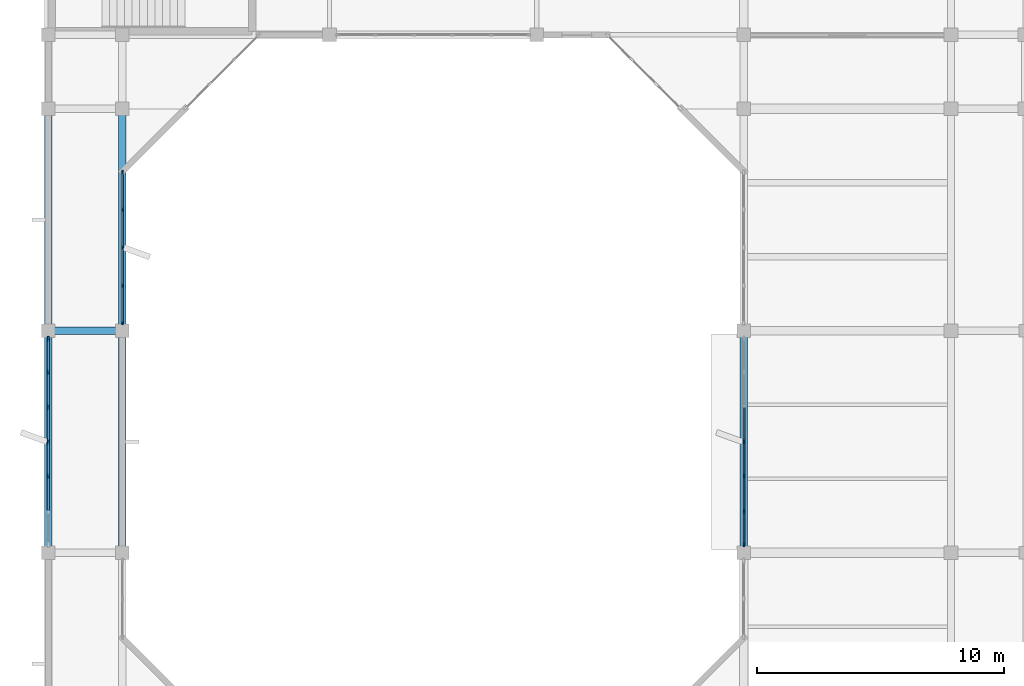
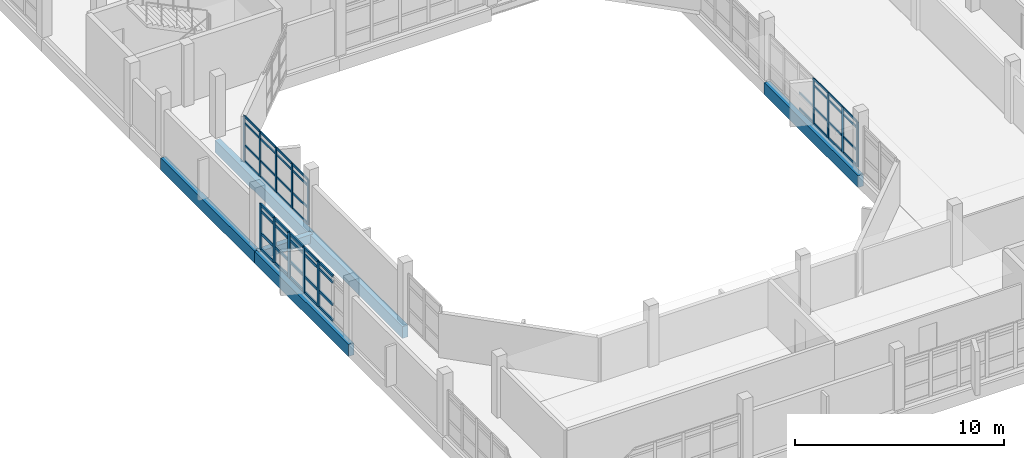
# One storey, part 7 of 51: 64 members, 6 beams, 3 elements without a shape of their own.
"""IFC4 building model written with IfcOpenShell, lengths in metres."""

from ifc_helpers import new_model, si_unit, direction, frame, origin, origin_2d, place, context, subcontext, project, spatial, rectangle, extrude, material, material_profile, profile_set, type_object, element, aggregate, save


model = new_model("IFC4")

# Units and contexts
model_context = context("Model", 3, precision=1e-05, world=origin(), true_north=direction((0.0, 1.0)))
body_context = subcontext(model_context, "Body", "Model", "MODEL_VIEW")
ifc_project = project(units=[si_unit("LENGTHUNIT", "METRE"), si_unit("AREAUNIT", "SQUARE_METRE"), si_unit("VOLUMEUNIT", "CUBIC_METRE"), si_unit("PLANEANGLEUNIT", "RADIAN"), si_unit("MASSUNIT", "GRAM", prefix="KILO")], contexts=[model_context])

# Site, building, storey
site_placement = place(None, origin())
site = spatial("IfcSite", under=ifc_project, at=site_placement, CompositionType="ELEMENT")
building_placement = place(site_placement, origin())
building = spatial("IfcBuilding", under=site, at=building_placement, Name="Vanh Quang Courtyard School", CompositionType="ELEMENT")
storey_placement = place(building_placement, frame((0.0, 0.0, 11.39990234375)))
storey = spatial("IfcBuildingStorey", under=building, at=storey_placement, Name="L03", CompositionType="ELEMENT", Elevation=11.39990234375)

# Beams
ifc_material_1 = material(Name="Concrete C35/45", Category="concrete")
ifc_material_profile_1 = material_profile(ifc_material_1, rectangle(XDim=0.300048828125, YDim=0.5, at=origin_2d()), Name="RC-BM 300x500")
ifc_profile_set_1 = profile_set([ifc_material_profile_1], Name="Concrete C35/45")
beam_type_1 = type_object("IfcBeamType", Name="BM-RC-300x500", PredefinedType="BEAM", material=ifc_profile_set_1)
beam_placement = place(storey_placement, frame((37.800048828125, 59.39990234375, -0.5498046875), z_axis=(1.0, 0.0, 0.0), x_axis=(0.0, 1.0, 0.0)))
element("IfcBeam", 1, at=beam_placement, inside=storey, type_object=beam_type_1, Name="Beam B-08 (L03)", PredefinedType="BEAM", context=body_context, shape_type="SweptSolid", body=[
    extrude(rectangle(XDim=0.300048828125, YDim=0.5, at=origin_2d()), origin(), (0.0, 0.0, 1.0), 3.0),
])
ifc_material_profile_2 = material_profile(ifc_material_1, rectangle(XDim=0.300048828125, YDim=0.699951171875, at=origin_2d()), Name="RC-SP 300x700")
ifc_profile_set_2 = profile_set([ifc_material_profile_2], Name="Concrete C35/45")
beam_type_2 = type_object("IfcBeamType", Name="BM-SP-300x700", PredefinedType="SPANDREL", material=ifc_profile_set_2)
for number, where, z_axis, x_axis, name in (
    (2, (37.800048828125, 50.39990234375, -0.64990234375), (0.0, 1.0, 0.0), (-1.0, 0.0, 0.0), "Beam BS-01 (L03)"),
    (3, (37.800048828125, 59.39990234375, -0.64990234375), (0.0, 1.0, 0.0), (-1.0, 0.0, 0.0), "Beam BS-01 (L03)"),
    (4, (40.800048828125, 50.39990234375, -0.64990234375), (0.0, 1.0, 0.0), (-1.0, 0.0, 0.0), "Beam BS-01 (L03)"),
    (5, (40.800048828125, 59.39990234375, -0.64990234375), (0.0, 1.0, 0.0), (-1.0, 0.0, 0.0), "Beam BS-01 (L03)"),
    (6, (66.0, 50.39990234375, -0.64990234375), (0.0, 1.0, 0.0), (-1.0, 0.0, 0.0), "Beam BS-01 (L03)"),
):
    element("IfcBeam", number, at=place(storey_placement, frame(where, z_axis=z_axis, x_axis=x_axis)), inside=storey, type_object=beam_type_2, Name=name, PredefinedType="SPANDREL", context=body_context, shape_type="SweptSolid", body=[
        extrude(rectangle(XDim=0.300048828125, YDim=0.699951171875, at=origin_2d()), origin(), (0.0, 0.0, 1.0), 9.0),
    ])

# Curtain wall, members
ifc_material_2 = material(Name="Thermally broken aluminium unitised curtain wall", Category="aluminium")
curtain_wall_type_1 = type_object("IfcCurtainWallType", Name="CW-SYS-44", PredefinedType="NOTDEFINED", material=ifc_material_2)
curtain_wall_1_placement = place(storey_placement, origin())
curtain_wall_1 = element("IfcCurtainWall", 7, at=curtain_wall_1_placement, inside=storey, type_object=curtain_wall_type_1, Name="Curtain Wall CW-44 (L03)", PredefinedType="NOTDEFINED")
ifc_material_3 = material(Name="Anodised aluminium 6063-T6", Category="aluminium")
ifc_material_profile_3 = material_profile(ifc_material_3, rectangle(XDim=0.06005859375, YDim=0.159912109375, at=origin_2d()), Name="ALU-MUL 60x160")
ifc_profile_set_3 = profile_set([ifc_material_profile_3], Name="Anodised aluminium 6063-T6")
member_type_1 = type_object("IfcMemberType", Name="CW-MUL-60x160", PredefinedType="MULLION", material=ifc_profile_set_3)
member_1_placement = place(storey_placement, frame((40.800048828125, 65.825927734375, 0.0), z_axis=(0.0, 0.0, 1.0), x_axis=(1.0, 0.0, 0.0)))
member_1 = element("IfcMember", 8, at=member_1_placement, type_object=member_type_1, Name="CW-44 mullion 1", PredefinedType="MULLION", context=body_context, shape_type="SweptSolid", body=[
    extrude(rectangle(XDim=0.06005859375, YDim=0.159912109375, at=origin_2d()), origin(), (0.0, 0.0, 1.0), 2.64013671875),
])
member_2_placement = place(storey_placement, frame((40.800048828125, 64.312744140625, 0.0), z_axis=(0.0, 0.0, 1.0), x_axis=(1.0, 0.0, 0.0)))
member_2 = element("IfcMember", 9, at=member_2_placement, type_object=member_type_1, Name="CW-44 mullion 2", PredefinedType="MULLION", context=body_context, shape_type="SweptSolid", body=[
    extrude(rectangle(XDim=0.06005859375, YDim=0.159912109375, at=origin_2d()), origin(), (0.0, 0.0, 1.0), 2.64013671875),
])
member_3_placement = place(storey_placement, frame((40.800048828125, 62.76953125, 0.0), z_axis=(0.0, 0.0, 1.0), x_axis=(1.0, 0.0, 0.0)))
member_3 = element("IfcMember", 10, at=member_3_placement, type_object=member_type_1, Name="CW-44 mullion 3", PredefinedType="MULLION", context=body_context, shape_type="SweptSolid", body=[
    extrude(rectangle(XDim=0.06005859375, YDim=0.159912109375, at=origin_2d()), origin(), (0.0, 0.0, 1.0), 2.64013671875),
])
member_4_placement = place(storey_placement, frame((40.800048828125, 61.226318359375, 0.0), z_axis=(0.0, 0.0, 1.0), x_axis=(1.0, 0.0, 0.0)))
member_4 = element("IfcMember", 11, at=member_4_placement, type_object=member_type_1, Name="CW-44 mullion 4", PredefinedType="MULLION", context=body_context, shape_type="SweptSolid", body=[
    extrude(rectangle(XDim=0.06005859375, YDim=0.159912109375, at=origin_2d()), origin(), (0.0, 0.0, 1.0), 2.64013671875),
])
member_5_placement = place(storey_placement, frame((40.800048828125, 59.712890625, 0.0), z_axis=(0.0, 0.0, 1.0), x_axis=(1.0, 0.0, 0.0)))
member_5 = element("IfcMember", 12, at=member_5_placement, type_object=member_type_1, Name="CW-44 mullion 5", PredefinedType="MULLION", context=body_context, shape_type="SweptSolid", body=[
    extrude(rectangle(XDim=0.06005859375, YDim=0.159912109375, at=origin_2d()), origin(), (0.0, 0.0, 1.0), 2.64013671875),
])

curtain_wall_type_2 = type_object("IfcCurtainWallType", Name="CW-SYS-48", PredefinedType="NOTDEFINED", material=ifc_material_2)
curtain_wall_2_placement = place(storey_placement, origin())
curtain_wall_2 = element("IfcCurtainWall", 13, at=curtain_wall_2_placement, inside=storey, type_object=curtain_wall_type_2, Name="Curtain Wall CW-48 (L03)", PredefinedType="NOTDEFINED")
member_6_placement = place(storey_placement, frame((66.0, 50.712890625, 0.0), z_axis=(0.0, 0.0, 1.0), x_axis=(-1.0, 0.0, 0.0)))
member_6 = element("IfcMember", 14, at=member_6_placement, type_object=member_type_1, Name="CW-48 mullion 1", PredefinedType="MULLION", context=body_context, shape_type="SweptSolid", body=[
    extrude(rectangle(XDim=0.06005859375, YDim=0.159912109375, at=origin_2d()), origin(), (0.0, 0.0, 1.0), 2.64013671875),
])
member_7_placement = place(storey_placement, frame((66.0, 52.088623046875, 0.0), z_axis=(0.0, 0.0, 1.0), x_axis=(-1.0, 0.0, 0.0)))
member_7 = element("IfcMember", 15, at=member_7_placement, type_object=member_type_1, Name="CW-48 mullion 2", PredefinedType="MULLION", context=body_context, shape_type="SweptSolid", body=[
    extrude(rectangle(XDim=0.06005859375, YDim=0.159912109375, at=origin_2d()), origin(), (0.0, 0.0, 1.0), 2.64013671875),
])
member_8_placement = place(storey_placement, frame((66.0, 53.494384765625, 0.0), z_axis=(0.0, 0.0, 1.0), x_axis=(-1.0, 0.0, 0.0)))
member_8 = element("IfcMember", 16, at=member_8_placement, type_object=member_type_1, Name="CW-48 mullion 3", PredefinedType="MULLION", context=body_context, shape_type="SweptSolid", body=[
    extrude(rectangle(XDim=0.06005859375, YDim=0.159912109375, at=origin_2d()), origin(), (0.0, 0.0, 1.0), 2.64013671875),
])
member_9_placement = place(storey_placement, frame((66.0, 54.89990234375, 0.0), z_axis=(0.0, 0.0, 1.0), x_axis=(-1.0, 0.0, 0.0)))
member_9 = element("IfcMember", 17, at=member_9_placement, type_object=member_type_1, Name="CW-48 mullion 4", PredefinedType="MULLION", context=body_context, shape_type="SweptSolid", body=[
    extrude(rectangle(XDim=0.06005859375, YDim=0.159912109375, at=origin_2d()), origin(), (0.0, 0.0, 1.0), 2.64013671875),
])

curtain_wall_3_placement = place(storey_placement, origin())
curtain_wall_3 = element("IfcCurtainWall", 18, at=curtain_wall_3_placement, inside=storey, type_object=curtain_wall_type_2, Name="Curtain Wall CW-48 (L03)", PredefinedType="NOTDEFINED")
ifc_material_profile_4 = material_profile(ifc_material_3, rectangle(XDim=0.080078125, YDim=0.199951171875, at=origin_2d()), Name="ALU-MUL 80x200")
ifc_profile_set_4 = profile_set([ifc_material_profile_4], Name="Anodised aluminium 6063-T6")
member_type_2 = type_object("IfcMemberType", Name="CW-MUL-80x200", PredefinedType="MULLION", material=ifc_profile_set_4)
member_10_placement = place(storey_placement, frame((37.800048828125, 53.494384765625, 0.0), z_axis=(0.0, 0.0, 1.0), x_axis=(-1.0, 0.0, 0.0)))
member_10 = element("IfcMember", 19, at=member_10_placement, type_object=member_type_2, Name="CW-48 mullion 3", PredefinedType="MULLION", context=body_context, shape_type="SweptSolid", body=[
    extrude(rectangle(XDim=0.080078125, YDim=0.199951171875, at=origin_2d()), origin(), (0.0, 0.0, 1.0), 2.64013671875),
])
member_11_placement = place(storey_placement, frame((37.800048828125, 54.89990234375, 0.0), z_axis=(0.0, 0.0, 1.0), x_axis=(-1.0, 0.0, 0.0)))
member_11 = element("IfcMember", 20, at=member_11_placement, type_object=member_type_2, Name="CW-48 mullion 4", PredefinedType="MULLION", context=body_context, shape_type="SweptSolid", body=[
    extrude(rectangle(XDim=0.080078125, YDim=0.199951171875, at=origin_2d()), origin(), (0.0, 0.0, 1.0), 2.64013671875),
])
member_12_placement = place(storey_placement, frame((37.800048828125, 56.3056640625, 0.0), z_axis=(0.0, 0.0, 1.0), x_axis=(-1.0, 0.0, 0.0)))
member_12 = element("IfcMember", 21, at=member_12_placement, type_object=member_type_2, Name="CW-48 mullion 5", PredefinedType="MULLION", context=body_context, shape_type="SweptSolid", body=[
    extrude(rectangle(XDim=0.080078125, YDim=0.199951171875, at=origin_2d()), origin(), (0.0, 0.0, 1.0), 2.64013671875),
])
member_13_placement = place(storey_placement, frame((37.800048828125, 57.71142578125, 0.0), z_axis=(0.0, 0.0, 1.0), x_axis=(-1.0, 0.0, 0.0)))
member_13 = element("IfcMember", 22, at=member_13_placement, type_object=member_type_2, Name="CW-48 mullion 6", PredefinedType="MULLION", context=body_context, shape_type="SweptSolid", body=[
    extrude(rectangle(XDim=0.080078125, YDim=0.199951171875, at=origin_2d()), origin(), (0.0, 0.0, 1.0), 2.64013671875),
])
member_14_placement = place(storey_placement, frame((37.800048828125, 59.076904296875, 0.0), z_axis=(0.0, 0.0, 1.0), x_axis=(-1.0, 0.0, 0.0)))
member_14 = element("IfcMember", 23, at=member_14_placement, type_object=member_type_2, Name="CW-48 mullion 7", PredefinedType="MULLION", context=body_context, shape_type="SweptSolid", body=[
    extrude(rectangle(XDim=0.080078125, YDim=0.199951171875, at=origin_2d()), origin(), (0.0, 0.0, 1.0), 2.64013671875),
])

# Member
ifc_material_profile_5 = material_profile(ifc_material_3, rectangle(XDim=0.06005859375, YDim=0.1201171875, at=origin_2d()), Name="ALU-TRN 60x120")
ifc_profile_set_5 = profile_set([ifc_material_profile_5], Name="Anodised aluminium 6063-T6")
member_type_3 = type_object("IfcMemberType", Name="CW-TRN-60x120", PredefinedType="USERDEFINED", material=ifc_profile_set_5)
member_15_placement = place(storey_placement, frame((40.800048828125, 65.7958984375, 0.030029296875), z_axis=(0.0, -1.0, 0.0), x_axis=(1.0, 0.0, 0.0)))
member_15 = element("IfcMember", 24, at=member_15_placement, type_object=member_type_3, Name="CW-44 transom 1.1", ObjectType="TRANSOM", PredefinedType="USERDEFINED", context=body_context, shape_type="SweptSolid", body=[
    extrude(rectangle(XDim=0.06005859375, YDim=0.1201171875, at=origin_2d()), origin(), (0.0, 0.0, 1.0), 1.453125),
])

member_16_placement = place(storey_placement, frame((40.800048828125, 65.7958984375, 0.9501953125), z_axis=(0.0, -1.0, 0.0), x_axis=(1.0, 0.0, 0.0)))
member_16 = element("IfcMember", 25, at=member_16_placement, type_object=member_type_3, Name="CW-44 transom 1.2", ObjectType="TRANSOM", PredefinedType="USERDEFINED", context=body_context, shape_type="SweptSolid", body=[
    extrude(rectangle(XDim=0.06005859375, YDim=0.1201171875, at=origin_2d()), origin(), (0.0, 0.0, 1.0), 1.453125),
])

member_17_placement = place(storey_placement, frame((40.800048828125, 65.7958984375, 2.25), z_axis=(0.0, -1.0, 0.0), x_axis=(1.0, 0.0, 0.0)))
member_17 = element("IfcMember", 26, at=member_17_placement, type_object=member_type_3, Name="CW-44 transom 1.3", ObjectType="TRANSOM", PredefinedType="USERDEFINED", context=body_context, shape_type="SweptSolid", body=[
    extrude(rectangle(XDim=0.06005859375, YDim=0.1201171875, at=origin_2d()), origin(), (0.0, 0.0, 1.0), 1.453125),
])

member_18_placement = place(storey_placement, frame((40.800048828125, 65.7958984375, 2.610107421875), z_axis=(0.0, -1.0, 0.0), x_axis=(1.0, 0.0, 0.0)))
member_18 = element("IfcMember", 27, at=member_18_placement, type_object=member_type_3, Name="CW-44 transom 1.4", ObjectType="TRANSOM", PredefinedType="USERDEFINED", context=body_context, shape_type="SweptSolid", body=[
    extrude(rectangle(XDim=0.06005859375, YDim=0.1201171875, at=origin_2d()), origin(), (0.0, 0.0, 1.0), 1.453125),
])

member_19_placement = place(storey_placement, frame((40.800048828125, 64.28271484375, 0.030029296875), z_axis=(0.0, -1.0, 0.0), x_axis=(1.0, 0.0, 0.0)))
member_19 = element("IfcMember", 28, at=member_19_placement, type_object=member_type_3, Name="CW-44 transom 2.1", ObjectType="TRANSOM", PredefinedType="USERDEFINED", context=body_context, shape_type="SweptSolid", body=[
    extrude(rectangle(XDim=0.06005859375, YDim=0.1201171875, at=origin_2d()), origin(), (0.0, 0.0, 1.0), 1.483154296875),
])

member_20_placement = place(storey_placement, frame((40.800048828125, 64.28271484375, 0.9501953125), z_axis=(0.0, -1.0, 0.0), x_axis=(1.0, 0.0, 0.0)))
member_20 = element("IfcMember", 29, at=member_20_placement, type_object=member_type_3, Name="CW-44 transom 2.2", ObjectType="TRANSOM", PredefinedType="USERDEFINED", context=body_context, shape_type="SweptSolid", body=[
    extrude(rectangle(XDim=0.06005859375, YDim=0.1201171875, at=origin_2d()), origin(), (0.0, 0.0, 1.0), 1.483154296875),
])

member_21_placement = place(storey_placement, frame((40.800048828125, 64.28271484375, 2.25), z_axis=(0.0, -1.0, 0.0), x_axis=(1.0, 0.0, 0.0)))
member_21 = element("IfcMember", 30, at=member_21_placement, type_object=member_type_3, Name="CW-44 transom 2.3", ObjectType="TRANSOM", PredefinedType="USERDEFINED", context=body_context, shape_type="SweptSolid", body=[
    extrude(rectangle(XDim=0.06005859375, YDim=0.1201171875, at=origin_2d()), origin(), (0.0, 0.0, 1.0), 1.483154296875),
])

member_22_placement = place(storey_placement, frame((40.800048828125, 64.28271484375, 2.610107421875), z_axis=(0.0, -1.0, 0.0), x_axis=(1.0, 0.0, 0.0)))
member_22 = element("IfcMember", 31, at=member_22_placement, type_object=member_type_3, Name="CW-44 transom 2.4", ObjectType="TRANSOM", PredefinedType="USERDEFINED", context=body_context, shape_type="SweptSolid", body=[
    extrude(rectangle(XDim=0.06005859375, YDim=0.1201171875, at=origin_2d()), origin(), (0.0, 0.0, 1.0), 1.483154296875),
])

member_23_placement = place(storey_placement, frame((40.800048828125, 62.739501953125, 0.030029296875), z_axis=(0.0, -1.0, 0.0), x_axis=(1.0, 0.0, 0.0)))
member_23 = element("IfcMember", 32, at=member_23_placement, type_object=member_type_3, Name="CW-44 transom 3.1", ObjectType="TRANSOM", PredefinedType="USERDEFINED", context=body_context, shape_type="SweptSolid", body=[
    extrude(rectangle(XDim=0.06005859375, YDim=0.1201171875, at=origin_2d()), origin(), (0.0, 0.0, 1.0), 1.483154296875),
])

member_24_placement = place(storey_placement, frame((40.800048828125, 62.739501953125, 0.9501953125), z_axis=(0.0, -1.0, 0.0), x_axis=(1.0, 0.0, 0.0)))
member_24 = element("IfcMember", 33, at=member_24_placement, type_object=member_type_3, Name="CW-44 transom 3.2", ObjectType="TRANSOM", PredefinedType="USERDEFINED", context=body_context, shape_type="SweptSolid", body=[
    extrude(rectangle(XDim=0.06005859375, YDim=0.1201171875, at=origin_2d()), origin(), (0.0, 0.0, 1.0), 1.483154296875),
])

member_25_placement = place(storey_placement, frame((40.800048828125, 62.739501953125, 2.25), z_axis=(0.0, -1.0, 0.0), x_axis=(1.0, 0.0, 0.0)))
member_25 = element("IfcMember", 34, at=member_25_placement, type_object=member_type_3, Name="CW-44 transom 3.3", ObjectType="TRANSOM", PredefinedType="USERDEFINED", context=body_context, shape_type="SweptSolid", body=[
    extrude(rectangle(XDim=0.06005859375, YDim=0.1201171875, at=origin_2d()), origin(), (0.0, 0.0, 1.0), 1.483154296875),
])

member_26_placement = place(storey_placement, frame((40.800048828125, 62.739501953125, 2.610107421875), z_axis=(0.0, -1.0, 0.0), x_axis=(1.0, 0.0, 0.0)))
member_26 = element("IfcMember", 35, at=member_26_placement, type_object=member_type_3, Name="CW-44 transom 3.4", ObjectType="TRANSOM", PredefinedType="USERDEFINED", context=body_context, shape_type="SweptSolid", body=[
    extrude(rectangle(XDim=0.06005859375, YDim=0.1201171875, at=origin_2d()), origin(), (0.0, 0.0, 1.0), 1.483154296875),
])

member_27_placement = place(storey_placement, frame((40.800048828125, 61.1962890625, 0.030029296875), z_axis=(0.0, -1.0, 0.0), x_axis=(1.0, 0.0, 0.0)))
member_27 = element("IfcMember", 36, at=member_27_placement, type_object=member_type_3, Name="CW-44 transom 4.1", ObjectType="TRANSOM", PredefinedType="USERDEFINED", context=body_context, shape_type="SweptSolid", body=[
    extrude(rectangle(XDim=0.06005859375, YDim=0.1201171875, at=origin_2d()), origin(), (0.0, 0.0, 1.0), 1.453369140625),
])

member_28_placement = place(storey_placement, frame((40.800048828125, 61.1962890625, 0.9501953125), z_axis=(0.0, -1.0, 0.0), x_axis=(1.0, 0.0, 0.0)))
member_28 = element("IfcMember", 37, at=member_28_placement, type_object=member_type_3, Name="CW-44 transom 4.2", ObjectType="TRANSOM", PredefinedType="USERDEFINED", context=body_context, shape_type="SweptSolid", body=[
    extrude(rectangle(XDim=0.06005859375, YDim=0.1201171875, at=origin_2d()), origin(), (0.0, 0.0, 1.0), 1.453369140625),
])

member_29_placement = place(storey_placement, frame((40.800048828125, 61.1962890625, 2.25), z_axis=(0.0, -1.0, 0.0), x_axis=(1.0, 0.0, 0.0)))
member_29 = element("IfcMember", 38, at=member_29_placement, type_object=member_type_3, Name="CW-44 transom 4.3", ObjectType="TRANSOM", PredefinedType="USERDEFINED", context=body_context, shape_type="SweptSolid", body=[
    extrude(rectangle(XDim=0.06005859375, YDim=0.1201171875, at=origin_2d()), origin(), (0.0, 0.0, 1.0), 1.453369140625),
])

member_30_placement = place(storey_placement, frame((40.800048828125, 61.1962890625, 2.610107421875), z_axis=(0.0, -1.0, 0.0), x_axis=(1.0, 0.0, 0.0)))
member_30 = element("IfcMember", 39, at=member_30_placement, type_object=member_type_3, Name="CW-44 transom 4.4", ObjectType="TRANSOM", PredefinedType="USERDEFINED", context=body_context, shape_type="SweptSolid", body=[
    extrude(rectangle(XDim=0.06005859375, YDim=0.1201171875, at=origin_2d()), origin(), (0.0, 0.0, 1.0), 1.453369140625),
])

aggregate(curtain_wall_1, [member_1, member_2, member_3, member_4, member_5, member_15, member_16, member_17, member_18, member_19, member_20, member_21, member_22, member_23, member_24, member_25, member_26, member_27, member_28, member_29, member_30])

member_31_placement = place(storey_placement, frame((66.0, 50.742919921875, 0.030029296875), z_axis=(0.0, 1.0, 0.0), x_axis=(-1.0, 0.0, 0.0)))
member_31 = element("IfcMember", 40, at=member_31_placement, type_object=member_type_3, Name="CW-48 transom 1.1", ObjectType="TRANSOM", PredefinedType="USERDEFINED", context=body_context, shape_type="SweptSolid", body=[
    extrude(rectangle(XDim=0.06005859375, YDim=0.1201171875, at=origin_2d()), origin(), (0.0, 0.0, 1.0), 1.315673828125),
])

member_32_placement = place(storey_placement, frame((66.0, 50.742919921875, 0.9501953125), z_axis=(0.0, 1.0, 0.0), x_axis=(-1.0, 0.0, 0.0)))
member_32 = element("IfcMember", 41, at=member_32_placement, type_object=member_type_3, Name="CW-48 transom 1.2", ObjectType="TRANSOM", PredefinedType="USERDEFINED", context=body_context, shape_type="SweptSolid", body=[
    extrude(rectangle(XDim=0.06005859375, YDim=0.1201171875, at=origin_2d()), origin(), (0.0, 0.0, 1.0), 1.315673828125),
])

member_33_placement = place(storey_placement, frame((66.0, 50.742919921875, 2.25), z_axis=(0.0, 1.0, 0.0), x_axis=(-1.0, 0.0, 0.0)))
member_33 = element("IfcMember", 42, at=member_33_placement, type_object=member_type_3, Name="CW-48 transom 1.3", ObjectType="TRANSOM", PredefinedType="USERDEFINED", context=body_context, shape_type="SweptSolid", body=[
    extrude(rectangle(XDim=0.06005859375, YDim=0.1201171875, at=origin_2d()), origin(), (0.0, 0.0, 1.0), 1.315673828125),
])

member_34_placement = place(storey_placement, frame((66.0, 50.742919921875, 2.610107421875), z_axis=(0.0, 1.0, 0.0), x_axis=(-1.0, 0.0, 0.0)))
member_34 = element("IfcMember", 43, at=member_34_placement, type_object=member_type_3, Name="CW-48 transom 1.4", ObjectType="TRANSOM", PredefinedType="USERDEFINED", context=body_context, shape_type="SweptSolid", body=[
    extrude(rectangle(XDim=0.06005859375, YDim=0.1201171875, at=origin_2d()), origin(), (0.0, 0.0, 1.0), 1.315673828125),
])

member_35_placement = place(storey_placement, frame((66.0, 52.11865234375, 0.030029296875), z_axis=(0.0, 1.0, 0.0), x_axis=(-1.0, 0.0, 0.0)))
member_35 = element("IfcMember", 44, at=member_35_placement, type_object=member_type_3, Name="CW-48 transom 2.1", ObjectType="TRANSOM", PredefinedType="USERDEFINED", context=body_context, shape_type="SweptSolid", body=[
    extrude(rectangle(XDim=0.06005859375, YDim=0.1201171875, at=origin_2d()), origin(), (0.0, 0.0, 1.0), 1.345703125),
])

member_36_placement = place(storey_placement, frame((66.0, 52.11865234375, 0.9501953125), z_axis=(0.0, 1.0, 0.0), x_axis=(-1.0, 0.0, 0.0)))
member_36 = element("IfcMember", 45, at=member_36_placement, type_object=member_type_3, Name="CW-48 transom 2.2", ObjectType="TRANSOM", PredefinedType="USERDEFINED", context=body_context, shape_type="SweptSolid", body=[
    extrude(rectangle(XDim=0.06005859375, YDim=0.1201171875, at=origin_2d()), origin(), (0.0, 0.0, 1.0), 1.345703125),
])

member_37_placement = place(storey_placement, frame((66.0, 52.11865234375, 2.25), z_axis=(0.0, 1.0, 0.0), x_axis=(-1.0, 0.0, 0.0)))
member_37 = element("IfcMember", 46, at=member_37_placement, type_object=member_type_3, Name="CW-48 transom 2.3", ObjectType="TRANSOM", PredefinedType="USERDEFINED", context=body_context, shape_type="SweptSolid", body=[
    extrude(rectangle(XDim=0.06005859375, YDim=0.1201171875, at=origin_2d()), origin(), (0.0, 0.0, 1.0), 1.345703125),
])

member_38_placement = place(storey_placement, frame((66.0, 52.11865234375, 2.610107421875), z_axis=(0.0, 1.0, 0.0), x_axis=(-1.0, 0.0, 0.0)))
member_38 = element("IfcMember", 47, at=member_38_placement, type_object=member_type_3, Name="CW-48 transom 2.4", ObjectType="TRANSOM", PredefinedType="USERDEFINED", context=body_context, shape_type="SweptSolid", body=[
    extrude(rectangle(XDim=0.06005859375, YDim=0.1201171875, at=origin_2d()), origin(), (0.0, 0.0, 1.0), 1.345703125),
])

member_39_placement = place(storey_placement, frame((66.0, 53.5244140625, 0.030029296875), z_axis=(0.0, 1.0, 0.0), x_axis=(-1.0, 0.0, 0.0)))
member_39 = element("IfcMember", 48, at=member_39_placement, type_object=member_type_3, Name="CW-48 transom 3.1", ObjectType="TRANSOM", PredefinedType="USERDEFINED", context=body_context, shape_type="SweptSolid", body=[
    extrude(rectangle(XDim=0.06005859375, YDim=0.1201171875, at=origin_2d()), origin(), (0.0, 0.0, 1.0), 1.345703125),
])

member_40_placement = place(storey_placement, frame((66.0, 53.5244140625, 0.9501953125), z_axis=(0.0, 1.0, 0.0), x_axis=(-1.0, 0.0, 0.0)))
member_40 = element("IfcMember", 49, at=member_40_placement, type_object=member_type_3, Name="CW-48 transom 3.2", ObjectType="TRANSOM", PredefinedType="USERDEFINED", context=body_context, shape_type="SweptSolid", body=[
    extrude(rectangle(XDim=0.06005859375, YDim=0.1201171875, at=origin_2d()), origin(), (0.0, 0.0, 1.0), 1.345703125),
])

member_41_placement = place(storey_placement, frame((66.0, 53.5244140625, 2.25), z_axis=(0.0, 1.0, 0.0), x_axis=(-1.0, 0.0, 0.0)))
member_41 = element("IfcMember", 50, at=member_41_placement, type_object=member_type_3, Name="CW-48 transom 3.3", ObjectType="TRANSOM", PredefinedType="USERDEFINED", context=body_context, shape_type="SweptSolid", body=[
    extrude(rectangle(XDim=0.06005859375, YDim=0.1201171875, at=origin_2d()), origin(), (0.0, 0.0, 1.0), 1.345703125),
])

member_42_placement = place(storey_placement, frame((66.0, 53.5244140625, 2.610107421875), z_axis=(0.0, 1.0, 0.0), x_axis=(-1.0, 0.0, 0.0)))
member_42 = element("IfcMember", 51, at=member_42_placement, type_object=member_type_3, Name="CW-48 transom 3.4", ObjectType="TRANSOM", PredefinedType="USERDEFINED", context=body_context, shape_type="SweptSolid", body=[
    extrude(rectangle(XDim=0.06005859375, YDim=0.1201171875, at=origin_2d()), origin(), (0.0, 0.0, 1.0), 1.345703125),
])

member_43_placement = place(storey_placement, frame((66.0, 54.929931640625, 0.030029296875), z_axis=(0.0, 1.0, 0.0), x_axis=(-1.0, 0.0, 0.0)))
member_43 = element("IfcMember", 52, at=member_43_placement, type_object=member_type_3, Name="CW-48 transom 4.1", ObjectType="TRANSOM", PredefinedType="USERDEFINED", context=body_context, shape_type="SweptSolid", body=[
    extrude(rectangle(XDim=0.06005859375, YDim=0.1201171875, at=origin_2d()), origin(), (0.0, 0.0, 1.0), 1.345703125),
])

member_44_placement = place(storey_placement, frame((66.0, 54.929931640625, 0.9501953125), z_axis=(0.0, 1.0, 0.0), x_axis=(-1.0, 0.0, 0.0)))
member_44 = element("IfcMember", 53, at=member_44_placement, type_object=member_type_3, Name="CW-48 transom 4.2", ObjectType="TRANSOM", PredefinedType="USERDEFINED", context=body_context, shape_type="SweptSolid", body=[
    extrude(rectangle(XDim=0.06005859375, YDim=0.1201171875, at=origin_2d()), origin(), (0.0, 0.0, 1.0), 1.345703125),
])

aggregate(curtain_wall_2, [member_6, member_7, member_8, member_9, member_31, member_32, member_33, member_34, member_35, member_36, member_37, member_38, member_39, member_40, member_41, member_42, member_43, member_44])

ifc_material_profile_6 = material_profile(ifc_material_3, rectangle(XDim=0.080078125, YDim=0.14990234375, at=origin_2d()), Name="ALU-TRN 80x150")
ifc_profile_set_6 = profile_set([ifc_material_profile_6], Name="Anodised aluminium 6063-T6")
member_type_4 = type_object("IfcMemberType", Name="CW-TRN-80x150", PredefinedType="USERDEFINED", material=ifc_profile_set_6)
member_45_placement = place(storey_placement, frame((37.800048828125, 52.128662109375, 0.0400390625), z_axis=(0.0, 1.0, 0.0), x_axis=(-1.0, 0.0, 0.0)))
member_45 = element("IfcMember", 54, at=member_45_placement, type_object=member_type_4, Name="CW-48 transom 2.1", ObjectType="TRANSOM", PredefinedType="USERDEFINED", context=body_context, shape_type="SweptSolid", body=[
    extrude(rectangle(XDim=0.080078125, YDim=0.14990234375, at=origin_2d()), origin(), (0.0, 0.0, 1.0), 1.32568359375),
])

member_46_placement = place(storey_placement, frame((37.800048828125, 52.128662109375, 0.9501953125), z_axis=(0.0, 1.0, 0.0), x_axis=(-1.0, 0.0, 0.0)))
member_46 = element("IfcMember", 55, at=member_46_placement, type_object=member_type_4, Name="CW-48 transom 2.2", ObjectType="TRANSOM", PredefinedType="USERDEFINED", context=body_context, shape_type="SweptSolid", body=[
    extrude(rectangle(XDim=0.080078125, YDim=0.14990234375, at=origin_2d()), origin(), (0.0, 0.0, 1.0), 1.32568359375),
])

member_47_placement = place(storey_placement, frame((37.800048828125, 52.128662109375, 2.25), z_axis=(0.0, 1.0, 0.0), x_axis=(-1.0, 0.0, 0.0)))
member_47 = element("IfcMember", 56, at=member_47_placement, type_object=member_type_4, Name="CW-48 transom 2.3", ObjectType="TRANSOM", PredefinedType="USERDEFINED", context=body_context, shape_type="SweptSolid", body=[
    extrude(rectangle(XDim=0.080078125, YDim=0.14990234375, at=origin_2d()), origin(), (0.0, 0.0, 1.0), 1.32568359375),
])

member_48_placement = place(storey_placement, frame((37.800048828125, 52.128662109375, 2.60009765625), z_axis=(0.0, 1.0, 0.0), x_axis=(-1.0, 0.0, 0.0)))
member_48 = element("IfcMember", 57, at=member_48_placement, type_object=member_type_4, Name="CW-48 transom 2.4", ObjectType="TRANSOM", PredefinedType="USERDEFINED", context=body_context, shape_type="SweptSolid", body=[
    extrude(rectangle(XDim=0.080078125, YDim=0.14990234375, at=origin_2d()), origin(), (0.0, 0.0, 1.0), 1.32568359375),
])

member_49_placement = place(storey_placement, frame((37.800048828125, 53.534423828125, 0.0400390625), z_axis=(0.0, 1.0, 0.0), x_axis=(-1.0, 0.0, 0.0)))
member_49 = element("IfcMember", 58, at=member_49_placement, type_object=member_type_4, Name="CW-48 transom 3.1", ObjectType="TRANSOM", PredefinedType="USERDEFINED", context=body_context, shape_type="SweptSolid", body=[
    extrude(rectangle(XDim=0.080078125, YDim=0.14990234375, at=origin_2d()), origin(), (0.0, 0.0, 1.0), 1.32568359375),
])

member_50_placement = place(storey_placement, frame((37.800048828125, 53.534423828125, 0.9501953125), z_axis=(0.0, 1.0, 0.0), x_axis=(-1.0, 0.0, 0.0)))
member_50 = element("IfcMember", 59, at=member_50_placement, type_object=member_type_4, Name="CW-48 transom 3.2", ObjectType="TRANSOM", PredefinedType="USERDEFINED", context=body_context, shape_type="SweptSolid", body=[
    extrude(rectangle(XDim=0.080078125, YDim=0.14990234375, at=origin_2d()), origin(), (0.0, 0.0, 1.0), 1.32568359375),
])

member_51_placement = place(storey_placement, frame((37.800048828125, 53.534423828125, 2.25), z_axis=(0.0, 1.0, 0.0), x_axis=(-1.0, 0.0, 0.0)))
member_51 = element("IfcMember", 60, at=member_51_placement, type_object=member_type_4, Name="CW-48 transom 3.3", ObjectType="TRANSOM", PredefinedType="USERDEFINED", context=body_context, shape_type="SweptSolid", body=[
    extrude(rectangle(XDim=0.080078125, YDim=0.14990234375, at=origin_2d()), origin(), (0.0, 0.0, 1.0), 1.32568359375),
])

member_52_placement = place(storey_placement, frame((37.800048828125, 53.534423828125, 2.60009765625), z_axis=(0.0, 1.0, 0.0), x_axis=(-1.0, 0.0, 0.0)))
member_52 = element("IfcMember", 61, at=member_52_placement, type_object=member_type_4, Name="CW-48 transom 3.4", ObjectType="TRANSOM", PredefinedType="USERDEFINED", context=body_context, shape_type="SweptSolid", body=[
    extrude(rectangle(XDim=0.080078125, YDim=0.14990234375, at=origin_2d()), origin(), (0.0, 0.0, 1.0), 1.32568359375),
])

member_53_placement = place(storey_placement, frame((37.800048828125, 54.93994140625, 0.0400390625), z_axis=(0.0, 1.0, 0.0), x_axis=(-1.0, 0.0, 0.0)))
member_53 = element("IfcMember", 62, at=member_53_placement, type_object=member_type_4, Name="CW-48 transom 4.1", ObjectType="TRANSOM", PredefinedType="USERDEFINED", context=body_context, shape_type="SweptSolid", body=[
    extrude(rectangle(XDim=0.080078125, YDim=0.14990234375, at=origin_2d()), origin(), (0.0, 0.0, 1.0), 1.32568359375),
])

member_54_placement = place(storey_placement, frame((37.800048828125, 54.93994140625, 0.9501953125), z_axis=(0.0, 1.0, 0.0), x_axis=(-1.0, 0.0, 0.0)))
member_54 = element("IfcMember", 63, at=member_54_placement, type_object=member_type_4, Name="CW-48 transom 4.2", ObjectType="TRANSOM", PredefinedType="USERDEFINED", context=body_context, shape_type="SweptSolid", body=[
    extrude(rectangle(XDim=0.080078125, YDim=0.14990234375, at=origin_2d()), origin(), (0.0, 0.0, 1.0), 1.32568359375),
])

member_55_placement = place(storey_placement, frame((37.800048828125, 54.93994140625, 2.25), z_axis=(0.0, 1.0, 0.0), x_axis=(-1.0, 0.0, 0.0)))
member_55 = element("IfcMember", 64, at=member_55_placement, type_object=member_type_4, Name="CW-48 transom 4.3", ObjectType="TRANSOM", PredefinedType="USERDEFINED", context=body_context, shape_type="SweptSolid", body=[
    extrude(rectangle(XDim=0.080078125, YDim=0.14990234375, at=origin_2d()), origin(), (0.0, 0.0, 1.0), 1.32568359375),
])

member_56_placement = place(storey_placement, frame((37.800048828125, 54.93994140625, 2.60009765625), z_axis=(0.0, 1.0, 0.0), x_axis=(-1.0, 0.0, 0.0)))
member_56 = element("IfcMember", 65, at=member_56_placement, type_object=member_type_4, Name="CW-48 transom 4.4", ObjectType="TRANSOM", PredefinedType="USERDEFINED", context=body_context, shape_type="SweptSolid", body=[
    extrude(rectangle(XDim=0.080078125, YDim=0.14990234375, at=origin_2d()), origin(), (0.0, 0.0, 1.0), 1.32568359375),
])

member_57_placement = place(storey_placement, frame((37.800048828125, 56.345703125, 0.0400390625), z_axis=(0.0, 1.0, 0.0), x_axis=(-1.0, 0.0, 0.0)))
member_57 = element("IfcMember", 66, at=member_57_placement, type_object=member_type_4, Name="CW-48 transom 5.1", ObjectType="TRANSOM", PredefinedType="USERDEFINED", context=body_context, shape_type="SweptSolid", body=[
    extrude(rectangle(XDim=0.080078125, YDim=0.14990234375, at=origin_2d()), origin(), (0.0, 0.0, 1.0), 1.32568359375),
])

member_58_placement = place(storey_placement, frame((37.800048828125, 56.345703125, 0.9501953125), z_axis=(0.0, 1.0, 0.0), x_axis=(-1.0, 0.0, 0.0)))
member_58 = element("IfcMember", 67, at=member_58_placement, type_object=member_type_4, Name="CW-48 transom 5.2", ObjectType="TRANSOM", PredefinedType="USERDEFINED", context=body_context, shape_type="SweptSolid", body=[
    extrude(rectangle(XDim=0.080078125, YDim=0.14990234375, at=origin_2d()), origin(), (0.0, 0.0, 1.0), 1.32568359375),
])

member_59_placement = place(storey_placement, frame((37.800048828125, 56.345703125, 2.25), z_axis=(0.0, 1.0, 0.0), x_axis=(-1.0, 0.0, 0.0)))
member_59 = element("IfcMember", 68, at=member_59_placement, type_object=member_type_4, Name="CW-48 transom 5.3", ObjectType="TRANSOM", PredefinedType="USERDEFINED", context=body_context, shape_type="SweptSolid", body=[
    extrude(rectangle(XDim=0.080078125, YDim=0.14990234375, at=origin_2d()), origin(), (0.0, 0.0, 1.0), 1.32568359375),
])

member_60_placement = place(storey_placement, frame((37.800048828125, 56.345703125, 2.60009765625), z_axis=(0.0, 1.0, 0.0), x_axis=(-1.0, 0.0, 0.0)))
member_60 = element("IfcMember", 69, at=member_60_placement, type_object=member_type_4, Name="CW-48 transom 5.4", ObjectType="TRANSOM", PredefinedType="USERDEFINED", context=body_context, shape_type="SweptSolid", body=[
    extrude(rectangle(XDim=0.080078125, YDim=0.14990234375, at=origin_2d()), origin(), (0.0, 0.0, 1.0), 1.32568359375),
])

member_61_placement = place(storey_placement, frame((37.800048828125, 57.751220703125, 0.0400390625), z_axis=(0.0, 1.0, 0.0), x_axis=(-1.0, 0.0, 0.0)))
member_61 = element("IfcMember", 70, at=member_61_placement, type_object=member_type_4, Name="CW-48 transom 6.1", ObjectType="TRANSOM", PredefinedType="USERDEFINED", context=body_context, shape_type="SweptSolid", body=[
    extrude(rectangle(XDim=0.080078125, YDim=0.14990234375, at=origin_2d()), origin(), (0.0, 0.0, 1.0), 1.285888671875),
])

member_62_placement = place(storey_placement, frame((37.800048828125, 57.751220703125, 0.9501953125), z_axis=(0.0, 1.0, 0.0), x_axis=(-1.0, 0.0, 0.0)))
member_62 = element("IfcMember", 71, at=member_62_placement, type_object=member_type_4, Name="CW-48 transom 6.2", ObjectType="TRANSOM", PredefinedType="USERDEFINED", context=body_context, shape_type="SweptSolid", body=[
    extrude(rectangle(XDim=0.080078125, YDim=0.14990234375, at=origin_2d()), origin(), (0.0, 0.0, 1.0), 1.285888671875),
])

member_63_placement = place(storey_placement, frame((37.800048828125, 57.751220703125, 2.25), z_axis=(0.0, 1.0, 0.0), x_axis=(-1.0, 0.0, 0.0)))
member_63 = element("IfcMember", 72, at=member_63_placement, type_object=member_type_4, Name="CW-48 transom 6.3", ObjectType="TRANSOM", PredefinedType="USERDEFINED", context=body_context, shape_type="SweptSolid", body=[
    extrude(rectangle(XDim=0.080078125, YDim=0.14990234375, at=origin_2d()), origin(), (0.0, 0.0, 1.0), 1.285888671875),
])

member_64_placement = place(storey_placement, frame((37.800048828125, 57.751220703125, 2.60009765625), z_axis=(0.0, 1.0, 0.0), x_axis=(-1.0, 0.0, 0.0)))
member_64 = element("IfcMember", 73, at=member_64_placement, type_object=member_type_4, Name="CW-48 transom 6.4", ObjectType="TRANSOM", PredefinedType="USERDEFINED", context=body_context, shape_type="SweptSolid", body=[
    extrude(rectangle(XDim=0.080078125, YDim=0.14990234375, at=origin_2d()), origin(), (0.0, 0.0, 1.0), 1.285888671875),
])

aggregate(curtain_wall_3, [member_10, member_11, member_12, member_13, member_14, member_45, member_46, member_47, member_48, member_49, member_50, member_51, member_52, member_53, member_54, member_55, member_56, member_57, member_58, member_59, member_60, member_61, member_62, member_63, member_64])

save(model, "model.ifc")
